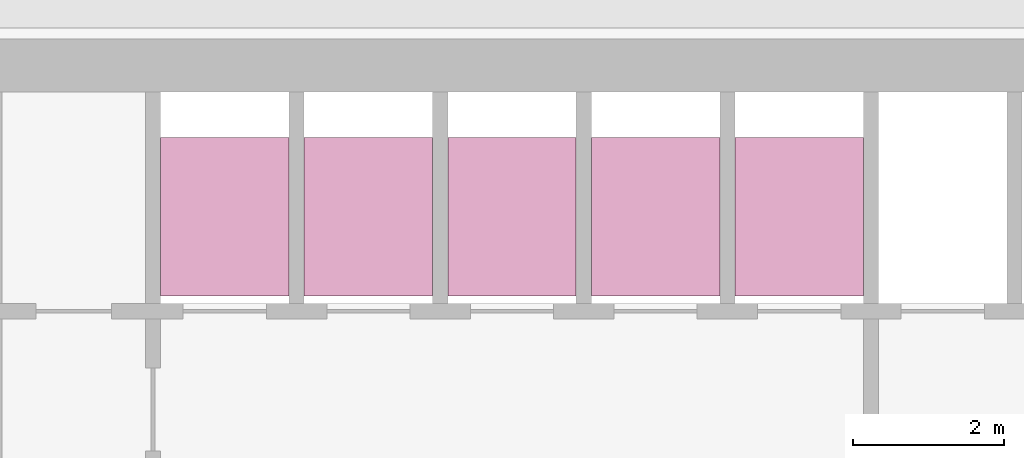
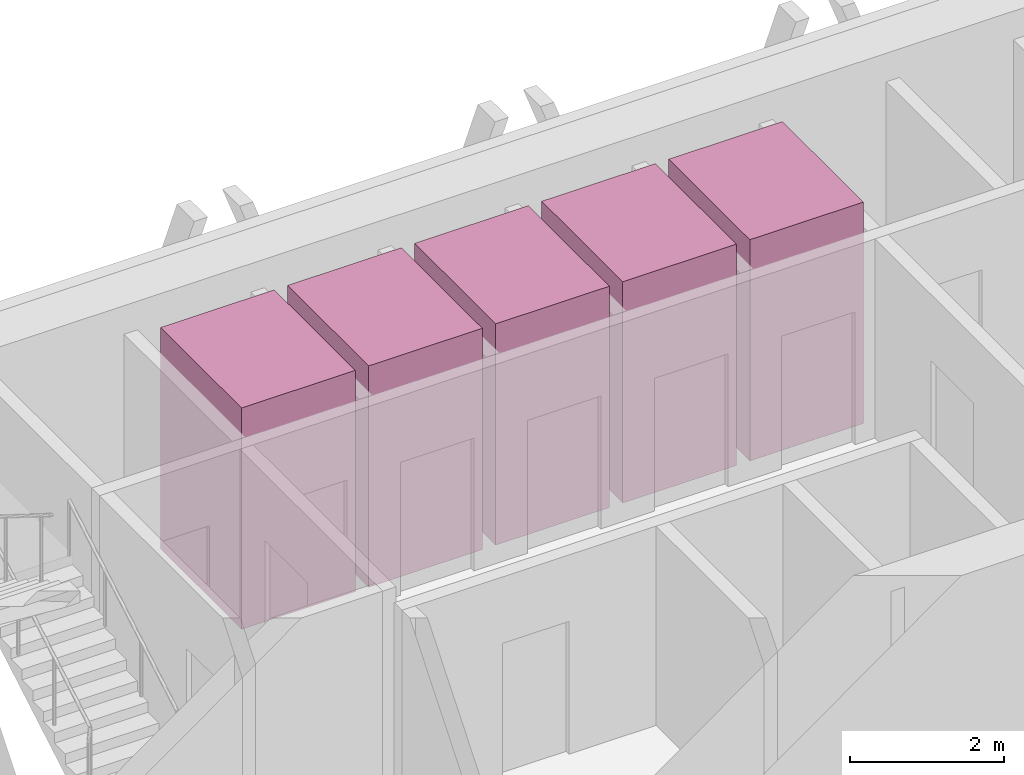
# One storey, part 16 of 16: 5 transport elements.
"""IFC4 building model written with IfcOpenShell, lengths in metres."""

from ifc_helpers import new_model, si_unit, direction, frame, origin, origin_2d, place, context, subcontext, project, spatial, rectangle, extrude, material, type_object, element, save


model = new_model("IFC4")

# Units and contexts
model_context = context("Model", 3, precision=1e-05, world=origin(), true_north=direction((0.0, 1.0)))
body_context = subcontext(model_context, "Body", "Model", "MODEL_VIEW")
ifc_project = project(units=[si_unit("LENGTHUNIT", "METRE"), si_unit("AREAUNIT", "SQUARE_METRE"), si_unit("VOLUMEUNIT", "CUBIC_METRE"), si_unit("PLANEANGLEUNIT", "RADIAN"), si_unit("MASSUNIT", "GRAM", prefix="KILO")], contexts=[model_context])

# Site, building, storey
site_placement = place(None, origin())
site = spatial("IfcSite", under=ifc_project, at=site_placement, CompositionType="ELEMENT")
building_placement = place(site_placement, origin())
building = spatial("IfcBuilding", under=site, at=building_placement, Name="Altiplano Prism Tower", CompositionType="ELEMENT")
storey_placement = place(building_placement, frame((0.0, 0.0, 167.39990234375)))
storey = spatial("IfcBuildingStorey", under=building, at=storey_placement, Name="L43", CompositionType="ELEMENT", Elevation=167.39990234375)

# Transport elements
ifc_material = material(Name="Stainless steel lift car", Category="steel")
transport_element_type = type_object("IfcTransportElementType", Name="Passenger lift car 1600 x 2100", PredefinedType="ELEVATOR", material=ifc_material)
for number, where, z_axis, x_axis, name in (
    (1, (79.050048828125, 101.75, 0.050048828125), (0.0, 0.0, 1.0), (1.0, 0.0, 0.0), "Mid Zone Passenger Lift 1"),
    (2, (80.949951171875, 101.75, 0.050048828125), (0.0, 0.0, 1.0), (1.0, 0.0, 0.0), "Mid Zone Passenger Lift 2"),
    (3, (82.85009765625, 101.75, 0.050048828125), (0.0, 0.0, 1.0), (1.0, 0.0, 0.0), "Mid Zone Passenger Lift 3"),
    (4, (84.75, 101.75, 0.050048828125), (0.0, 0.0, 1.0), (1.0, 0.0, 0.0), "Mid Zone Passenger Lift 4"),
    (5, (86.64990234375, 101.75, 0.050048828125), (0.0, 0.0, 1.0), (1.0, 0.0, 0.0), "Mid Zone Passenger Lift 5"),
):
    element("IfcTransportElement", number, at=place(storey_placement, frame(where, z_axis=z_axis, x_axis=x_axis)), inside=storey, type_object=transport_element_type, Name=name, PredefinedType="ELEVATOR", context=body_context, shape_type="SweptSolid", body=[
        extrude(rectangle(XDim=1.699951171875, YDim=2.10009765625, at=origin_2d()), origin(), (0.0, 0.0, 1.0), 3.5),
    ])

save(model, "model.ifc")
